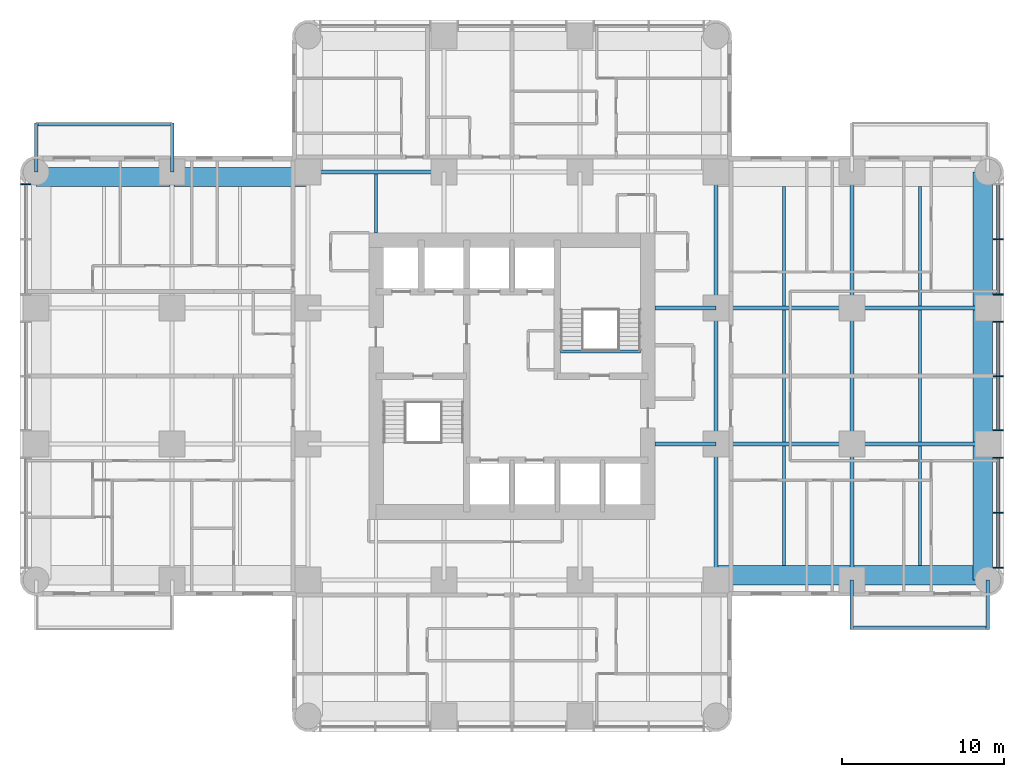
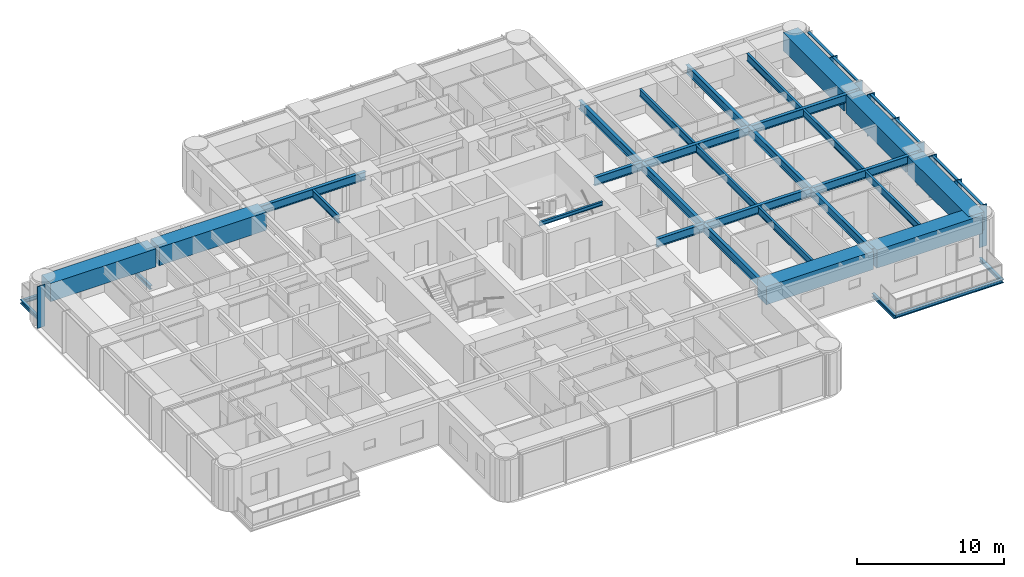
# One storey, part 3 of 14: 34 beams, 15 members, 2 elements without a shape of their own.
"""IFC4 building model written with IfcOpenShell, lengths in metres."""

from ifc_helpers import new_model, si_unit, direction, frame, origin, origin_2d, place, context, subcontext, project, spatial, rectangle, i_section, extrude, material, material_profile, profile_set, type_object, element, aggregate, save


model = new_model("IFC4")

# Units and contexts
model_context = context("Model", 3, precision=1e-05, world=origin(), true_north=direction((0.0, 1.0)))
body_context = subcontext(model_context, "Body", "Model", "MODEL_VIEW")
ifc_project = project(units=[si_unit("LENGTHUNIT", "METRE"), si_unit("AREAUNIT", "SQUARE_METRE"), si_unit("VOLUMEUNIT", "CUBIC_METRE"), si_unit("PLANEANGLEUNIT", "RADIAN"), si_unit("MASSUNIT", "GRAM", prefix="KILO")], contexts=[model_context])

# Site, building, storey
site_placement = place(None, origin())
site = spatial("IfcSite", under=ifc_project, at=site_placement, CompositionType="ELEMENT")
building_placement = place(site_placement, origin())
building = spatial("IfcBuilding", under=site, at=building_placement, Name="Torre Alcanfor", CompositionType="ELEMENT")
storey_placement = place(building_placement, frame((0.0, 0.0, 126.89990234375)))
storey = spatial("IfcBuildingStorey", under=building, at=storey_placement, Name="L32", CompositionType="ELEMENT", Elevation=126.89990234375)

# Beams
ifc_material_1 = material(Name="Steel ASTM A992 Grade 50", Category="steel")
ifc_material_profile_1 = material_profile(ifc_material_1, i_section(OverallWidth=0.205322265625, OverallDepth=0.309814453125, WebThickness=0.00927734375, FlangeThickness=0.016357421875, at=origin_2d()), Name="W12x50")
ifc_profile_set_1 = profile_set([ifc_material_profile_1], Name="Steel ASTM A992 Grade 50")
beam_type_1 = type_object("IfcBeamType", Name="Balcony cantilever beam W12x50", PredefinedType="BEAM", material=ifc_profile_set_1)
for number, where, z_axis, x_axis, name in (
    (1, (50.39990234375, 16.800048828125, -0.354736328125), (0.0, -1.0, 0.0), (1.0, 0.0, 0.0), "Balcony cantilever beam L32-E2 1"),
    (2, (58.800048828125, 16.800048828125, -0.354736328125), (0.0, -1.0, 0.0), (1.0, 0.0, 0.0), "Balcony cantilever beam L32-E2 2"),
    (3, (8.39990234375, 42.0, -0.354736328125), (0.0, 1.0, 0.0), (-1.0, 0.0, 0.0), "Balcony cantilever beam L32-W2 1"),
    (4, (0.0, 42.0, -0.354736328125), (0.0, 1.0, 0.0), (-1.0, 0.0, 0.0), "Balcony cantilever beam L32-W2 2"),
):
    element("IfcBeam", number, at=place(storey_placement, frame(where, z_axis=z_axis, x_axis=x_axis)), inside=storey, type_object=beam_type_1, Name=name, PredefinedType="BEAM", context=body_context, shape_type="SweptSolid", body=[
        extrude(i_section(OverallWidth=0.205322265625, OverallDepth=0.309814453125, WebThickness=0.00927734375, FlangeThickness=0.016357421875, at=origin_2d()), origin(), (0.0, 0.0, 1.0), 3.050048828125),
    ])
ifc_material_2 = material(Name="Steel ASTM A992 Grade 50", Category="steel")
ifc_material_profile_2 = material_profile(ifc_material_2, i_section(OverallWidth=0.203369140625, OverallDepth=0.30224609375, WebThickness=0.007568359375, FlangeThickness=0.01318359375, at=origin_2d()), Name="W12x40")
ifc_profile_set_2 = profile_set([ifc_material_profile_2], Name="Steel ASTM A992 Grade 50")
beam_type_2 = type_object("IfcBeamType", Name="Balcony edge trimmer W12x40", PredefinedType="BEAM", material=ifc_profile_set_2)
beam_1_placement = place(storey_placement, frame((50.39990234375, 13.851806640625, -0.35107421875), z_axis=(1.0, 0.0, 0.0), x_axis=(0.0, 1.0, 0.0)))
element("IfcBeam", 5, at=beam_1_placement, inside=storey, type_object=beam_type_2, Name="Balcony edge trimmer L32-E2", PredefinedType="BEAM", context=body_context, shape_type="SweptSolid", body=[
    extrude(i_section(OverallWidth=0.203369140625, OverallDepth=0.30224609375, WebThickness=0.007568359375, FlangeThickness=0.01318359375, at=origin_2d()), origin(), (0.0, 0.0, 1.0), 8.400146484375),
])
beam_2_placement = place(storey_placement, frame((8.39990234375, 44.9482421875, -0.35107421875), z_axis=(-1.0, 0.0, 0.0), x_axis=(0.0, -1.0, 0.0)))
element("IfcBeam", 6, at=beam_2_placement, inside=storey, type_object=beam_type_2, Name="Balcony edge trimmer L32-W2", PredefinedType="BEAM", context=body_context, shape_type="SweptSolid", body=[
    extrude(i_section(OverallWidth=0.203369140625, OverallDepth=0.30224609375, WebThickness=0.007568359375, FlangeThickness=0.01318359375, at=origin_2d()), origin(), (0.0, 0.0, 1.0), 8.39990234375),
])

# Curtain wall, member
ifc_material_3 = material(Name="Aluminium and glass", Category="aluminium")
curtain_wall_type = type_object("IfcCurtainWallType", Name="CW-A unitised apartment glazing with vertical FIN", PredefinedType="NOTDEFINED", material=ifc_material_3)
curtain_wall_1_placement = place(storey_placement, origin())
curtain_wall_1 = element("IfcCurtainWall", 7, at=curtain_wall_1_placement, inside=storey, type_object=curtain_wall_type, Name="Curtain wall CW-A L32 2", PredefinedType="NOTDEFINED")
ifc_material_4 = material(Name="Bronze anodised aluminium", Category="aluminium")
ifc_material_profile_3 = material_profile(ifc_material_4, rectangle(XDim=0.60009765625, YDim=0.06494140625, at=origin_2d()), Name="CW-A mullion 65x600")
ifc_profile_set_3 = profile_set([ifc_material_profile_3], Name="Bronze anodised aluminium")
member_type_1 = type_object("IfcMemberType", Name="CW-A mullion with vertical FIN 65x600", PredefinedType="MULLION", material=ifc_profile_set_3)
member_1_placement = place(storey_placement, frame((-0.64990234375, 41.24267578125, 0.0), z_axis=(0.0, 0.0, 1.0), x_axis=(1.0, 0.0, 0.0)))
member_1 = element("IfcMember", 8, at=member_1_placement, type_object=member_type_1, Name="CW-A mullion 1.1", PredefinedType="MULLION", context=body_context, shape_type="SweptSolid", body=[
    extrude(rectangle(XDim=0.60009765625, YDim=0.06494140625, at=origin_2d()), origin(), (0.0, 0.0, 1.0), 3.4501953125),
])
aggregate(curtain_wall_1, [member_1])

# Curtain wall, members
curtain_wall_2_placement = place(storey_placement, origin())
curtain_wall_2 = element("IfcCurtainWall", 9, at=curtain_wall_2_placement, inside=storey, type_object=curtain_wall_type, Name="Curtain wall CW-A L32 8", PredefinedType="NOTDEFINED")
member_2_placement = place(storey_placement, frame((59.449951171875, 17.557373046875, 0.0), z_axis=(0.0, 0.0, 1.0), x_axis=(-1.0, 0.0, 0.0)))
member_2 = element("IfcMember", 10, at=member_2_placement, type_object=member_type_1, Name="CW-A mullion 1.1", PredefinedType="MULLION", context=body_context, shape_type="SweptSolid", body=[
    extrude(rectangle(XDim=0.60009765625, YDim=0.06494140625, at=origin_2d()), origin(), (0.0, 0.0, 1.0), 3.4501953125),
])
member_3_placement = place(storey_placement, frame((59.449951171875, 20.9599609375, 0.0), z_axis=(0.0, 0.0, 1.0), x_axis=(-1.0, 0.0, 0.0)))
member_3 = element("IfcMember", 11, at=member_3_placement, type_object=member_type_1, Name="CW-A mullion 1.2", PredefinedType="MULLION", context=body_context, shape_type="SweptSolid", body=[
    extrude(rectangle(XDim=0.60009765625, YDim=0.06494140625, at=origin_2d()), origin(), (0.0, 0.0, 1.0), 3.4501953125),
])
member_4_placement = place(storey_placement, frame((59.449951171875, 24.362548828125, 0.0), z_axis=(0.0, 0.0, 1.0), x_axis=(-1.0, 0.0, 0.0)))
member_4 = element("IfcMember", 12, at=member_4_placement, type_object=member_type_1, Name="CW-A mullion 1.3", PredefinedType="MULLION", context=body_context, shape_type="SweptSolid", body=[
    extrude(rectangle(XDim=0.60009765625, YDim=0.06494140625, at=origin_2d()), origin(), (0.0, 0.0, 1.0), 3.4501953125),
])
member_5_placement = place(storey_placement, frame((59.449951171875, 26.03759765625, 0.0), z_axis=(0.0, 0.0, 1.0), x_axis=(-1.0, 0.0, 0.0)))
member_5 = element("IfcMember", 13, at=member_5_placement, type_object=member_type_1, Name="CW-A mullion 2.1", PredefinedType="MULLION", context=body_context, shape_type="SweptSolid", body=[
    extrude(rectangle(XDim=0.60009765625, YDim=0.06494140625, at=origin_2d()), origin(), (0.0, 0.0, 1.0), 3.4501953125),
])
member_6_placement = place(storey_placement, frame((59.449951171875, 29.39990234375, 0.0), z_axis=(0.0, 0.0, 1.0), x_axis=(-1.0, 0.0, 0.0)))
member_6 = element("IfcMember", 14, at=member_6_placement, type_object=member_type_1, Name="CW-A mullion 2.2", PredefinedType="MULLION", context=body_context, shape_type="SweptSolid", body=[
    extrude(rectangle(XDim=0.60009765625, YDim=0.06494140625, at=origin_2d()), origin(), (0.0, 0.0, 1.0), 3.4501953125),
])
member_7_placement = place(storey_placement, frame((59.449951171875, 32.762451171875, 0.0), z_axis=(0.0, 0.0, 1.0), x_axis=(-1.0, 0.0, 0.0)))
member_7 = element("IfcMember", 15, at=member_7_placement, type_object=member_type_1, Name="CW-A mullion 2.3", PredefinedType="MULLION", context=body_context, shape_type="SweptSolid", body=[
    extrude(rectangle(XDim=0.60009765625, YDim=0.06494140625, at=origin_2d()), origin(), (0.0, 0.0, 1.0), 3.4501953125),
])
member_8_placement = place(storey_placement, frame((59.449951171875, 34.4375, 0.0), z_axis=(0.0, 0.0, 1.0), x_axis=(-1.0, 0.0, 0.0)))
member_8 = element("IfcMember", 16, at=member_8_placement, type_object=member_type_1, Name="CW-A mullion 3.1", PredefinedType="MULLION", context=body_context, shape_type="SweptSolid", body=[
    extrude(rectangle(XDim=0.60009765625, YDim=0.06494140625, at=origin_2d()), origin(), (0.0, 0.0, 1.0), 3.4501953125),
])
member_9_placement = place(storey_placement, frame((59.449951171875, 37.840087890625, 0.0), z_axis=(0.0, 0.0, 1.0), x_axis=(-1.0, 0.0, 0.0)))
member_9 = element("IfcMember", 17, at=member_9_placement, type_object=member_type_1, Name="CW-A mullion 3.2", PredefinedType="MULLION", context=body_context, shape_type="SweptSolid", body=[
    extrude(rectangle(XDim=0.60009765625, YDim=0.06494140625, at=origin_2d()), origin(), (0.0, 0.0, 1.0), 3.4501953125),
])
ifc_material_5 = material(Name="Extruded aluminium", Category="aluminium")
ifc_material_profile_4 = material_profile(ifc_material_5, rectangle(XDim=0.199951171875, YDim=0.06494140625, at=origin_2d()), Name="CW-A transom 200x65")
ifc_profile_set_4 = profile_set([ifc_material_profile_4], Name="Extruded aluminium")
member_type_2 = type_object("IfcMemberType", Name="CW-A transom 65x200", PredefinedType="USERDEFINED", material=ifc_profile_set_4)
member_10_placement = place(storey_placement, frame((59.449951171875, 17.58984375, 3.41748046875), z_axis=(0.0, 1.0, 0.0), x_axis=(-1.0, 0.0, 0.0)))
member_10 = element("IfcMember", 18, at=member_10_placement, type_object=member_type_2, Name="CW-A transom 1.1.2", ObjectType="TRANSOM", PredefinedType="USERDEFINED", context=body_context, shape_type="SweptSolid", body=[
    extrude(rectangle(XDim=0.199951171875, YDim=0.06494140625, at=origin_2d()), origin(), (0.0, 0.0, 1.0), 3.337646484375),
])
member_11_placement = place(storey_placement, frame((59.449951171875, 20.992431640625, 3.41748046875), z_axis=(0.0, 1.0, 0.0), x_axis=(-1.0, 0.0, 0.0)))
member_11 = element("IfcMember", 19, at=member_11_placement, type_object=member_type_2, Name="CW-A transom 1.2.2", ObjectType="TRANSOM", PredefinedType="USERDEFINED", context=body_context, shape_type="SweptSolid", body=[
    extrude(rectangle(XDim=0.199951171875, YDim=0.06494140625, at=origin_2d()), origin(), (0.0, 0.0, 1.0), 3.337646484375),
])
member_12_placement = place(storey_placement, frame((59.449951171875, 26.070068359375, 3.41748046875), z_axis=(0.0, 1.0, 0.0), x_axis=(-1.0, 0.0, 0.0)))
member_12 = element("IfcMember", 20, at=member_12_placement, type_object=member_type_2, Name="CW-A transom 2.1.2", ObjectType="TRANSOM", PredefinedType="USERDEFINED", context=body_context, shape_type="SweptSolid", body=[
    extrude(rectangle(XDim=0.199951171875, YDim=0.06494140625, at=origin_2d()), origin(), (0.0, 0.0, 1.0), 3.29736328125),
])
member_13_placement = place(storey_placement, frame((59.449951171875, 29.4326171875, 3.41748046875), z_axis=(0.0, 1.0, 0.0), x_axis=(-1.0, 0.0, 0.0)))
member_13 = element("IfcMember", 21, at=member_13_placement, type_object=member_type_2, Name="CW-A transom 2.2.2", ObjectType="TRANSOM", PredefinedType="USERDEFINED", context=body_context, shape_type="SweptSolid", body=[
    extrude(rectangle(XDim=0.199951171875, YDim=0.06494140625, at=origin_2d()), origin(), (0.0, 0.0, 1.0), 3.29736328125),
])
member_14_placement = place(storey_placement, frame((59.449951171875, 34.469970703125, 3.41748046875), z_axis=(0.0, 1.0, 0.0), x_axis=(-1.0, 0.0, 0.0)))
member_14 = element("IfcMember", 22, at=member_14_placement, type_object=member_type_2, Name="CW-A transom 3.1.2", ObjectType="TRANSOM", PredefinedType="USERDEFINED", context=body_context, shape_type="SweptSolid", body=[
    extrude(rectangle(XDim=0.199951171875, YDim=0.06494140625, at=origin_2d()), origin(), (0.0, 0.0, 1.0), 3.337646484375),
])
member_15_placement = place(storey_placement, frame((59.449951171875, 37.87255859375, 3.41748046875), z_axis=(0.0, 1.0, 0.0), x_axis=(-1.0, 0.0, 0.0)))
member_15 = element("IfcMember", 23, at=member_15_placement, type_object=member_type_2, Name="CW-A transom 3.2.2", ObjectType="TRANSOM", PredefinedType="USERDEFINED", context=body_context, shape_type="SweptSolid", body=[
    extrude(rectangle(XDim=0.199951171875, YDim=0.06494140625, at=origin_2d()), origin(), (0.0, 0.0, 1.0), 3.337646484375),
])
aggregate(curtain_wall_2, [member_2, member_3, member_4, member_10, member_11, member_5, member_6, member_7, member_12, member_13, member_8, member_9, member_14, member_15])

# Beams
ifc_material_6 = material(Name="Steel ASTM A992 Grade 50", Category="steel")
ifc_material_profile_5 = material_profile(ifc_material_6, i_section(OverallWidth=0.25390625, OverallDepth=0.683349609375, WebThickness=0.012451171875, FlangeThickness=0.01904296875, at=origin_2d()), Name="W27x94")
ifc_profile_set_5 = profile_set([ifc_material_profile_5], Name="Steel ASTM A992 Grade 50")
beam_type_3 = type_object("IfcBeamType", Name="Girder W27x94", PredefinedType="BEAM", material=ifc_profile_set_5)
beam_3_placement = place(storey_placement, frame((42.0, 25.199951171875, 3.1083984375), z_axis=(1.0, 0.0, 0.0), x_axis=(0.0, 1.0, 0.0)))
element("IfcBeam", 24, at=beam_3_placement, inside=storey, type_object=beam_type_3, Name="Beam 6F-7F under L33", PredefinedType="BEAM", context=body_context, shape_type="SweptSolid", body=[
    extrude(i_section(OverallWidth=0.25390625, OverallDepth=0.683349609375, WebThickness=0.012451171875, FlangeThickness=0.01904296875, at=origin_2d()), origin(), (0.0, 0.0, 1.0), 8.39990234375),
])
beam_4_placement = place(storey_placement, frame((50.39990234375, 25.199951171875, 3.1083984375), z_axis=(1.0, 0.0, 0.0), x_axis=(0.0, 1.0, 0.0)))
element("IfcBeam", 25, at=beam_4_placement, inside=storey, type_object=beam_type_3, Name="Beam 7F-8F under L33", PredefinedType="BEAM", context=body_context, shape_type="SweptSolid", body=[
    extrude(i_section(OverallWidth=0.25390625, OverallDepth=0.683349609375, WebThickness=0.012451171875, FlangeThickness=0.01904296875, at=origin_2d()), origin(), (0.0, 0.0, 1.0), 8.400146484375),
])
beam_5_placement = place(storey_placement, frame((42.0, 33.60009765625, 3.1083984375), z_axis=(1.0, 0.0, 0.0), x_axis=(0.0, 1.0, 0.0)))
element("IfcBeam", 26, at=beam_5_placement, inside=storey, type_object=beam_type_3, Name="Beam 6G-7G under L33", PredefinedType="BEAM", context=body_context, shape_type="SweptSolid", body=[
    extrude(i_section(OverallWidth=0.25390625, OverallDepth=0.683349609375, WebThickness=0.012451171875, FlangeThickness=0.01904296875, at=origin_2d()), origin(), (0.0, 0.0, 1.0), 8.39990234375),
])
beam_6_placement = place(storey_placement, frame((50.39990234375, 33.60009765625, 3.1083984375), z_axis=(1.0, 0.0, 0.0), x_axis=(0.0, 1.0, 0.0)))
element("IfcBeam", 27, at=beam_6_placement, inside=storey, type_object=beam_type_3, Name="Beam 7G-8G under L33", PredefinedType="BEAM", context=body_context, shape_type="SweptSolid", body=[
    extrude(i_section(OverallWidth=0.25390625, OverallDepth=0.683349609375, WebThickness=0.012451171875, FlangeThickness=0.01904296875, at=origin_2d()), origin(), (0.0, 0.0, 1.0), 8.400146484375),
])
for number, where, z_axis, x_axis, name in (
    (28, (16.800048828125, 42.0, 3.1083984375), (1.0, 0.0, 0.0), (0.0, 1.0, 0.0), "Beam 3H-4H under L33"),
    (29, (42.0, 16.800048828125, 3.1083984375), (0.0, 1.0, 0.0), (-1.0, 0.0, 0.0), "Beam 6E-6F under L33"),
):
    element("IfcBeam", number, at=place(storey_placement, frame(where, z_axis=z_axis, x_axis=x_axis)), inside=storey, type_object=beam_type_3, Name=name, PredefinedType="BEAM", context=body_context, shape_type="SweptSolid", body=[
        extrude(i_section(OverallWidth=0.25390625, OverallDepth=0.683349609375, WebThickness=0.012451171875, FlangeThickness=0.01904296875, at=origin_2d()), origin(), (0.0, 0.0, 1.0), 8.39990234375),
    ])
beam_7_placement = place(storey_placement, frame((42.0, 25.199951171875, 3.1083984375), z_axis=(0.0, 1.0, 0.0), x_axis=(-1.0, 0.0, 0.0)))
element("IfcBeam", 30, at=beam_7_placement, inside=storey, type_object=beam_type_3, Name="Beam 6F-6G under L33", PredefinedType="BEAM", context=body_context, shape_type="SweptSolid", body=[
    extrude(i_section(OverallWidth=0.25390625, OverallDepth=0.683349609375, WebThickness=0.012451171875, FlangeThickness=0.01904296875, at=origin_2d()), origin(), (0.0, 0.0, 1.0), 8.400146484375),
])
for number, where, z_axis, x_axis, name in (
    (31, (42.0, 33.60009765625, 3.1083984375), (0.0, 1.0, 0.0), (-1.0, 0.0, 0.0), "Beam 6G-6H under L33"),
    (32, (50.39990234375, 16.800048828125, 3.1083984375), (0.0, 1.0, 0.0), (-1.0, 0.0, 0.0), "Beam 7E-7F under L33"),
):
    element("IfcBeam", number, at=place(storey_placement, frame(where, z_axis=z_axis, x_axis=x_axis)), inside=storey, type_object=beam_type_3, Name=name, PredefinedType="BEAM", context=body_context, shape_type="SweptSolid", body=[
        extrude(i_section(OverallWidth=0.25390625, OverallDepth=0.683349609375, WebThickness=0.012451171875, FlangeThickness=0.01904296875, at=origin_2d()), origin(), (0.0, 0.0, 1.0), 8.39990234375),
    ])
beam_8_placement = place(storey_placement, frame((50.39990234375, 25.199951171875, 3.1083984375), z_axis=(0.0, 1.0, 0.0), x_axis=(-1.0, 0.0, 0.0)))
element("IfcBeam", 33, at=beam_8_placement, inside=storey, type_object=beam_type_3, Name="Beam 7F-7G under L33", PredefinedType="BEAM", context=body_context, shape_type="SweptSolid", body=[
    extrude(i_section(OverallWidth=0.25390625, OverallDepth=0.683349609375, WebThickness=0.012451171875, FlangeThickness=0.01904296875, at=origin_2d()), origin(), (0.0, 0.0, 1.0), 8.400146484375),
])
beam_9_placement = place(storey_placement, frame((50.39990234375, 33.60009765625, 3.1083984375), z_axis=(0.0, 1.0, 0.0), x_axis=(-1.0, 0.0, 0.0)))
element("IfcBeam", 34, at=beam_9_placement, inside=storey, type_object=beam_type_3, Name="Beam 7G-7H under L33", PredefinedType="BEAM", context=body_context, shape_type="SweptSolid", body=[
    extrude(i_section(OverallWidth=0.25390625, OverallDepth=0.683349609375, WebThickness=0.012451171875, FlangeThickness=0.01904296875, at=origin_2d()), origin(), (0.0, 0.0, 1.0), 8.39990234375),
])
ifc_material_7 = material(Name="Steel ASTM A992 Grade 50", Category="steel")
ifc_material_profile_6 = material_profile(ifc_material_7, i_section(OverallWidth=0.25390625, OverallDepth=0.683349609375, WebThickness=0.012451171875, FlangeThickness=0.01904296875, at=origin_2d()), Name="W27x94")
ifc_profile_set_6 = profile_set([ifc_material_profile_6], Name="Steel ASTM A992 Grade 50")
beam_type_4 = type_object("IfcBeamType", Name="Girder, part bay W27x94", PredefinedType="BEAM", material=ifc_profile_set_6)
for number, where, z_axis, x_axis, name in (
    (35, (42.0, 25.199951171875, 3.1083984375), (-1.0, 0.0, 0.0), (0.0, -1.0, 0.0), "Beam 6F-38_25F under L33"),
    (36, (42.0, 33.60009765625, 3.1083984375), (-1.0, 0.0, 0.0), (0.0, -1.0, 0.0), "Beam 6G-38_25G under L33"),
):
    element("IfcBeam", number, at=place(storey_placement, frame(where, z_axis=z_axis, x_axis=x_axis)), inside=storey, type_object=beam_type_4, Name=name, PredefinedType="BEAM", context=body_context, shape_type="SweptSolid", body=[
        extrude(i_section(OverallWidth=0.25390625, OverallDepth=0.683349609375, WebThickness=0.012451171875, FlangeThickness=0.01904296875, at=origin_2d()), origin(), (0.0, 0.0, 1.0), 3.75),
    ])
ifc_material_8 = material(Name="Concrete f'c 70 MPa", Category="concrete")
ifc_material_profile_7 = material_profile(ifc_material_8, rectangle(XDim=1.199951171875, YDim=1.5, at=origin_2d()), Name="1200x1500")
ifc_profile_set_7 = profile_set([ifc_material_profile_7], Name="Concrete f'c 70 MPa")
beam_type_5 = type_object("IfcBeamType", Name="RC perimeter beam 1200x1500", PredefinedType="BEAM", material=ifc_profile_set_7)
beam_10_placement = place(storey_placement, frame((41.873046875, 17.10009765625, 2.7001953125), z_axis=(1.0, 0.0, 0.0), x_axis=(0.0, 1.0, 0.0)))
element("IfcBeam", 37, at=beam_10_placement, inside=storey, type_object=beam_type_5, Name="Beam 6E-7E under L33", PredefinedType="BEAM", context=body_context, shape_type="SweptSolid", body=[
    extrude(rectangle(XDim=1.199951171875, YDim=1.5, at=origin_2d()), origin(), (0.0, 0.0, 1.0), 8.39990234375),
])
for number, where, z_axis, x_axis, name in (
    (38, (50.527099609375, 17.10009765625, 2.7001953125), (1.0, 0.0, 0.0), (0.0, 1.0, 0.0), "Beam 7E-8E under L33"),
    (39, (0.0, 41.699951171875, 2.7001953125), (1.0, 0.0, 0.0), (0.0, 1.0, 0.0), "Beam 1H-2H under L33"),
):
    element("IfcBeam", number, at=place(storey_placement, frame(where, z_axis=z_axis, x_axis=x_axis)), inside=storey, type_object=beam_type_5, Name=name, PredefinedType="BEAM", context=body_context, shape_type="SweptSolid", body=[
        extrude(rectangle(XDim=1.199951171875, YDim=1.5, at=origin_2d()), origin(), (0.0, 0.0, 1.0), 8.27294921875),
    ])
beam_11_placement = place(storey_placement, frame((8.527099609375, 41.699951171875, 2.7001953125), z_axis=(1.0, 0.0, 0.0), x_axis=(0.0, 1.0, 0.0)))
element("IfcBeam", 40, at=beam_11_placement, inside=storey, type_object=beam_type_5, Name="Beam 2H-3H under L33", PredefinedType="BEAM", context=body_context, shape_type="SweptSolid", body=[
    extrude(rectangle(XDim=1.199951171875, YDim=1.5, at=origin_2d()), origin(), (0.0, 0.0, 1.0), 8.39990234375),
])
beam_12_placement = place(storey_placement, frame((58.5, 16.800048828125, 2.7001953125), z_axis=(0.0, 1.0, 0.0), x_axis=(-1.0, 0.0, 0.0)))
element("IfcBeam", 41, at=beam_12_placement, inside=storey, type_object=beam_type_5, Name="Beam 8E-8F under L33", PredefinedType="BEAM", context=body_context, shape_type="SweptSolid", body=[
    extrude(rectangle(XDim=1.199951171875, YDim=1.5, at=origin_2d()), origin(), (0.0, 0.0, 1.0), 8.27294921875),
])
beam_13_placement = place(storey_placement, frame((58.5, 25.326904296875, 2.7001953125), z_axis=(0.0, 1.0, 0.0), x_axis=(-1.0, 0.0, 0.0)))
element("IfcBeam", 42, at=beam_13_placement, inside=storey, type_object=beam_type_5, Name="Beam 8F-8G under L33", PredefinedType="BEAM", context=body_context, shape_type="SweptSolid", body=[
    extrude(rectangle(XDim=1.199951171875, YDim=1.5, at=origin_2d()), origin(), (0.0, 0.0, 1.0), 8.14599609375),
])
beam_14_placement = place(storey_placement, frame((58.5, 33.72705078125, 2.7001953125), z_axis=(0.0, 1.0, 0.0), x_axis=(-1.0, 0.0, 0.0)))
element("IfcBeam", 43, at=beam_14_placement, inside=storey, type_object=beam_type_5, Name="Beam 8G-8H under L33", PredefinedType="BEAM", context=body_context, shape_type="SweptSolid", body=[
    extrude(rectangle(XDim=1.199951171875, YDim=1.5, at=origin_2d()), origin(), (0.0, 0.0, 1.0), 8.27294921875),
])
ifc_material_9 = material(Name="Steel ASTM A992 Grade 50", Category="steel")
ifc_material_profile_8 = material_profile(ifc_material_9, i_section(OverallWidth=0.1787109375, OverallDepth=0.60205078125, WebThickness=0.010986328125, FlangeThickness=0.014892578125, at=origin_2d()), Name="W24x62")
ifc_profile_set_8 = profile_set([ifc_material_profile_8], Name="Steel ASTM A992 Grade 50")
beam_type_6 = type_object("IfcBeamType", Name="Secondary beam W24x62", PredefinedType="BEAM", material=ifc_profile_set_8)
beam_15_placement = place(storey_placement, frame((46.199951171875, 17.699951171875, 3.149169921875), z_axis=(0.0, 1.0, 0.0), x_axis=(-1.0, 0.0, 0.0)))
element("IfcBeam", 44, at=beam_15_placement, inside=storey, type_object=beam_type_6, Name="Beam 46_2E-46_2F under L33", PredefinedType="BEAM", context=body_context, shape_type="SweptSolid", body=[
    extrude(i_section(OverallWidth=0.1787109375, OverallDepth=0.60205078125, WebThickness=0.010986328125, FlangeThickness=0.014892578125, at=origin_2d()), origin(), (0.0, 0.0, 1.0), 7.373046875),
])
beam_16_placement = place(storey_placement, frame((46.199951171875, 25.326904296875, 3.149169921875), z_axis=(0.0, 1.0, 0.0), x_axis=(-1.0, 0.0, 0.0)))
element("IfcBeam", 45, at=beam_16_placement, inside=storey, type_object=beam_type_6, Name="Beam 46_2F-46_2G under L33", PredefinedType="BEAM", context=body_context, shape_type="SweptSolid", body=[
    extrude(i_section(OverallWidth=0.1787109375, OverallDepth=0.60205078125, WebThickness=0.010986328125, FlangeThickness=0.014892578125, at=origin_2d()), origin(), (0.0, 0.0, 1.0), 8.14599609375),
])
for number, where, z_axis, x_axis, name in (
    (46, (46.199951171875, 33.72705078125, 3.149169921875), (0.0, 1.0, 0.0), (-1.0, 0.0, 0.0), "Beam 46_2G-46_2H under L33"),
    (47, (54.60009765625, 17.699951171875, 3.149169921875), (0.0, 1.0, 0.0), (-1.0, 0.0, 0.0), "Beam 54_6E-54_6F under L33"),
):
    element("IfcBeam", number, at=place(storey_placement, frame(where, z_axis=z_axis, x_axis=x_axis)), inside=storey, type_object=beam_type_6, Name=name, PredefinedType="BEAM", context=body_context, shape_type="SweptSolid", body=[
        extrude(i_section(OverallWidth=0.1787109375, OverallDepth=0.60205078125, WebThickness=0.010986328125, FlangeThickness=0.014892578125, at=origin_2d()), origin(), (0.0, 0.0, 1.0), 7.373046875),
    ])
beam_17_placement = place(storey_placement, frame((54.60009765625, 25.326904296875, 3.149169921875), z_axis=(0.0, 1.0, 0.0), x_axis=(-1.0, 0.0, 0.0)))
element("IfcBeam", 48, at=beam_17_placement, inside=storey, type_object=beam_type_6, Name="Beam 54_6F-54_6G under L33", PredefinedType="BEAM", context=body_context, shape_type="SweptSolid", body=[
    extrude(i_section(OverallWidth=0.1787109375, OverallDepth=0.60205078125, WebThickness=0.010986328125, FlangeThickness=0.014892578125, at=origin_2d()), origin(), (0.0, 0.0, 1.0), 8.14599609375),
])
beam_18_placement = place(storey_placement, frame((54.60009765625, 33.72705078125, 3.149169921875), z_axis=(0.0, 1.0, 0.0), x_axis=(-1.0, 0.0, 0.0)))
element("IfcBeam", 49, at=beam_18_placement, inside=storey, type_object=beam_type_6, Name="Beam 54_6G-54_6H under L33", PredefinedType="BEAM", context=body_context, shape_type="SweptSolid", body=[
    extrude(i_section(OverallWidth=0.1787109375, OverallDepth=0.60205078125, WebThickness=0.010986328125, FlangeThickness=0.014892578125, at=origin_2d()), origin(), (0.0, 0.0, 1.0), 7.373046875),
])
ifc_material_10 = material(Name="Steel ASTM A992 Grade 50", Category="steel")
ifc_material_profile_9 = material_profile(ifc_material_10, i_section(OverallWidth=0.1787109375, OverallDepth=0.60205078125, WebThickness=0.010986328125, FlangeThickness=0.014892578125, at=origin_2d()), Name="W24x62")
ifc_profile_set_9 = profile_set([ifc_material_profile_9], Name="Steel ASTM A992 Grade 50")
beam_type_7 = type_object("IfcBeamType", Name="Secondary beam, part bay W24x62", PredefinedType="BEAM", material=ifc_profile_set_9)
beam_19_placement = place(storey_placement, frame((21.0, 38.25, 3.149169921875), z_axis=(0.0, 1.0, 0.0), x_axis=(-1.0, 0.0, 0.0)))
element("IfcBeam", 50, at=beam_19_placement, inside=storey, type_object=beam_type_7, Name="Beam 2138_25-21H under L33", PredefinedType="BEAM", context=body_context, shape_type="SweptSolid", body=[
    extrude(i_section(OverallWidth=0.1787109375, OverallDepth=0.60205078125, WebThickness=0.010986328125, FlangeThickness=0.014892578125, at=origin_2d()), origin(), (0.0, 0.0, 1.0), 3.623046875),
])
ifc_material_11 = material(Name="Steel ASTM A992 Grade 50", Category="steel")
ifc_material_profile_10 = material_profile(ifc_material_11, i_section(OverallWidth=0.164794921875, OverallDepth=0.309814453125, WebThickness=0.005859375, FlangeThickness=0.009765625, at=origin_2d()), Name="W12x26")
ifc_profile_set_10 = profile_set([ifc_material_profile_10], Name="Steel ASTM A992 Grade 50")
beam_type_8 = type_object("IfcBeamType", Name="Stair landing beam W12x26", PredefinedType="BEAM", material=ifc_profile_set_10)
beam_20_placement = place(storey_placement, frame((32.39990234375, 30.91259765625, 3.2451171875), z_axis=(1.0, 0.0, 0.0), x_axis=(0.0, 1.0, 0.0)))
element("IfcBeam", 51, at=beam_20_placement, inside=storey, type_object=beam_type_8, Name="Landing trimmer S2 L33", PredefinedType="BEAM", context=body_context, shape_type="SweptSolid", body=[
    extrude(i_section(OverallWidth=0.164794921875, OverallDepth=0.309814453125, WebThickness=0.005859375, FlangeThickness=0.009765625, at=origin_2d()), origin(), (0.0, 0.0, 1.0), 4.9501953125),
])

save(model, "model.ifc")
